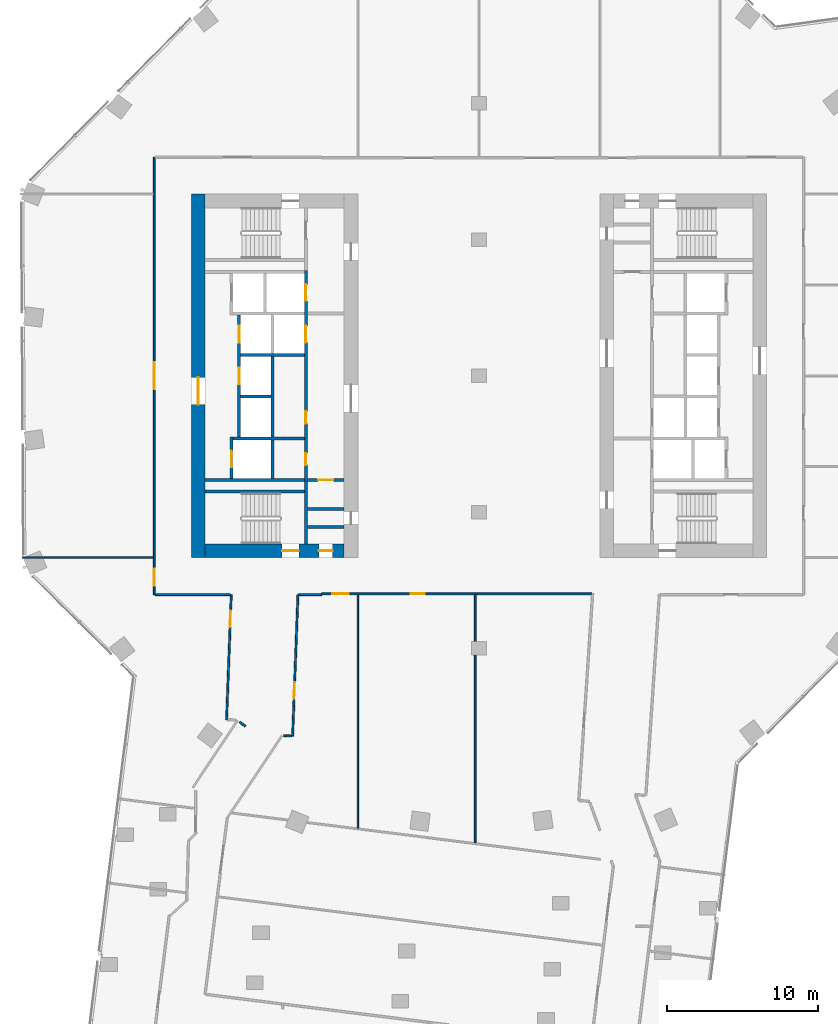
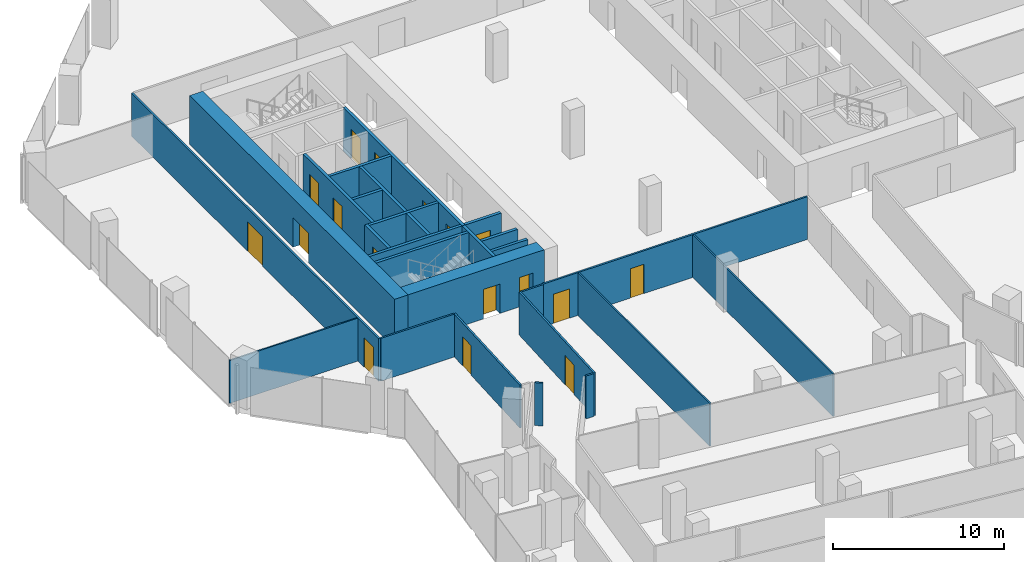
# One storey, part 20 of 27: 27 walls, 17 doors, 17 openings.
"""IFC4 building model written with IfcOpenShell, lengths in metres."""

from ifc_helpers import new_model, si_unit, direction, frame, frame_2d, origin, place, context, subcontext, project, spatial, rectangle, extrude, material, layer, layer_set, type_object, element, fill, save


model = new_model("IFC4")

# Units and contexts
model_context = context("Model", 3, precision=1e-05, world=origin(), true_north=direction((0.0, 1.0)))
body_context = subcontext(model_context, "Body", "Model", "MODEL_VIEW")
ifc_project = project(units=[si_unit("LENGTHUNIT", "METRE"), si_unit("AREAUNIT", "SQUARE_METRE"), si_unit("VOLUMEUNIT", "CUBIC_METRE"), si_unit("PLANEANGLEUNIT", "RADIAN"), si_unit("MASSUNIT", "GRAM", prefix="KILO")], contexts=[model_context])

# Site, building, storey
site_placement = place(None, origin())
site = spatial("IfcSite", under=ifc_project, at=site_placement, CompositionType="ELEMENT")
building_placement = place(site_placement, origin())
building = spatial("IfcBuilding", under=site, at=building_placement, Name="Orlundy Tower", CompositionType="ELEMENT")
storey_placement = place(building_placement, frame((0.0, 0.0, 195.60009765625)))
storey = spatial("IfcBuildingStorey", under=building, at=storey_placement, Name="L51", CompositionType="ELEMENT", Elevation=195.60009765625)

# Wall, openings, doors
ifc_material_1 = material(Name="Concrete C70/85", Category="concrete")
ifc_layer_1 = layer(ifc_material_1, 0.89990234375)
ifc_layer_set_1 = layer_set([ifc_layer_1], Name="CORE WALL 900 C70/85")
wall_type_1 = type_object("IfcWallType", Name="CORE WALL 900 C70/85", PredefinedType="SHEAR", material=ifc_layer_set_1)
wall_1_placement = place(storey_placement, frame((-18.10009765625, -11.550048828125, 0.0), z_axis=(0.0, 0.0, 1.0), x_axis=(1.0, 0.0, 0.0)))
wall_1 = element("IfcWall", 1, at=wall_1_placement, inside=storey, type_object=wall_type_1, Name="Core wall W-S L51", PredefinedType="SHEAR", context=body_context, shape_type="SweptSolid", body=[
    extrude(rectangle(XDim=9.2001953125, YDim=0.89990234375, at=frame_2d((4.60009765625, 0.0))), origin(), (0.0, 0.0, 1.0), 3.5),
])
opening_1_placement = place(wall_1_placement, frame((5.10009765625, 0.0, 0.0)))
opening_1 = element("IfcOpeningElement", 2, at=opening_1_placement, cuts=wall_1, Name="Opening 39013", PredefinedType="OPENING", context=body_context, shape_type="SweptSolid", body=[
    extrude(rectangle(XDim=1.10009765625, YDim=2.10009765625, at=frame_2d((0.550048828125, 1.050048828125))), frame((0.0, 0.4599609375, 0.0), z_axis=(0.0, -1.0, 0.0), x_axis=(1.0, 0.0, 0.0)), (0.0, 0.0, 1.0), 0.919921875),
])
opening_2_placement = place(wall_1_placement, frame((7.530029296875, 0.0, 0.0)))
opening_2 = element("IfcOpeningElement", 3, at=opening_2_placement, cuts=wall_1, Name="Opening 39015", PredefinedType="OPENING", context=body_context, shape_type="SweptSolid", body=[
    extrude(rectangle(XDim=0.89990234375, YDim=2.10009765625, at=frame_2d((0.449951171875, 1.050048828125))), frame((0.0, 0.4599609375, 0.0), z_axis=(0.0, -1.0, 0.0), x_axis=(1.0, 0.0, 0.0)), (0.0, 0.0, 1.0), 0.919921875),
])
ifc_material_2 = material(Name="Timber door set", Category="wood")
door_type_1 = type_object("IfcDoorType", Name="Room Door 900x2100", OperationType="SINGLE_SWING_LEFT", PredefinedType="DOOR", material=ifc_material_2)
door_1_placement = place(opening_2_placement, origin())
door_1 = element("IfcDoor", 4, at=door_1_placement, inside=storey, type_object=door_type_1, Name="Store door 39015", OperationType="SINGLE_SWING_RIGHT", OverallHeight=2.10009765625, OverallWidth=0.89990234375, PredefinedType="DOOR", context=body_context, shape_type="SweptSolid", body=[
    extrude(rectangle(XDim=0.89990234375, YDim=2.10009765625, at=frame_2d((0.449951171875, 1.050048828125))), frame((0.0, 0.02490234375, 0.0), z_axis=(0.0, -1.0, 0.0), x_axis=(1.0, 0.0, 0.0)), (0.0, 0.0, 1.0), 0.050048828125),
])
fill(opening_2, door_1)
ifc_material_3 = material(Name="Steel door set", Category="steel")
door_type_2 = type_object("IfcDoorType", Name="Stair Door 1100x2100", OperationType="SINGLE_SWING_LEFT", PredefinedType="DOOR", material=ifc_material_3)
door_2_placement = place(opening_1_placement, origin())
door_2 = element("IfcDoor", 5, at=door_2_placement, inside=storey, type_object=door_type_2, Name="Stair door 39013", OperationType="SINGLE_SWING_RIGHT", OverallHeight=2.10009765625, OverallWidth=1.10009765625, PredefinedType="DOOR", context=body_context, shape_type="SweptSolid", body=[
    extrude(rectangle(XDim=1.10009765625, YDim=2.10009765625, at=frame_2d((0.550048828125, 1.050048828125))), frame((0.0, 0.02490234375, 0.0), z_axis=(0.0, -1.0, 0.0), x_axis=(1.0, 0.0, 0.0)), (0.0, 0.0, 1.0), 0.050048828125),
])
fill(opening_1, door_2)

# Wall, opening, door
wall_2_placement = place(storey_placement, frame((-18.550048828125, -12.0, 0.0), z_axis=(0.0, 0.0, 1.0), x_axis=(0.0, 1.0, 0.0)))
wall_2 = element("IfcWall", 6, at=wall_2_placement, inside=storey, type_object=wall_type_1, Name="Core wall W-W L51", PredefinedType="SHEAR", context=body_context, shape_type="SweptSolid", body=[
    extrude(rectangle(XDim=24.0, YDim=0.89990234375, at=frame_2d((12.0, 0.0))), origin(), (0.0, 0.0, 1.0), 3.5),
])
opening_3_placement = place(wall_2_placement, frame((10.10009765625, 0.0, 0.0)))
opening_3 = element("IfcOpeningElement", 7, at=opening_3_placement, cuts=wall_2, Name="Opening 39010", PredefinedType="OPENING", context=body_context, shape_type="SweptSolid", body=[
    extrude(rectangle(XDim=1.800048828125, YDim=2.10009765625, at=frame_2d((0.89990234375, 1.050048828125))), frame((0.0, 0.4599609375, 0.0), z_axis=(0.0, -1.0, 0.0), x_axis=(1.0, 0.0, 0.0)), (0.0, 0.0, 1.0), 0.919921875),
])
ifc_material_4 = material(Name="Timber door set", Category="wood")
door_type_3 = type_object("IfcDoorType", Name="Lobby Door 1800x2100", OperationType="DOUBLE_DOOR_DOUBLE_SWING", PredefinedType="DOOR", material=ifc_material_4)
door_3_placement = place(opening_3_placement, origin())
door_3 = element("IfcDoor", 8, at=door_3_placement, inside=storey, type_object=door_type_3, Name="Lift lobby door 39010", OperationType="SINGLE_SWING_LEFT", OverallHeight=2.10009765625, OverallWidth=1.800048828125, PredefinedType="DOOR", context=body_context, shape_type="SweptSolid", body=[
    extrude(rectangle(XDim=1.800048828125, YDim=2.10009765625, at=frame_2d((0.89990234375, 1.050048828125))), frame((0.0, 0.02490234375, 0.0), z_axis=(0.0, -1.0, 0.0), x_axis=(1.0, 0.0, 0.0)), (0.0, 0.0, 1.0), 0.050048828125),
])
fill(opening_3, door_3)

# Walls
ifc_material_5 = material(Name="Gypsum board partition")
ifc_layer_2 = layer(ifc_material_5, 0.10009765625)
ifc_layer_set_2 = layer_set([ifc_layer_2], Name="Floor partition 100")
wall_type_2 = type_object("IfcWallType", Name="Floor partition 100", PredefinedType="PARTITIONING", material=ifc_layer_set_2)
wall_3_placement = place(storey_placement, frame((-30.179931640625, -12.0, 0.0), z_axis=(0.0, 0.0, 1.0), x_axis=(1.0, 0.0, 0.0)))
element("IfcWall", 9, at=wall_3_placement, inside=storey, type_object=wall_type_2, Name="wall-int-L51-033", PredefinedType="PARTITIONING", context=body_context, shape_type="SweptSolid", body=[
    extrude(rectangle(XDim=8.66796875, YDim=0.10009765625, at=frame_2d((4.333984375, 0.0))), origin(), (0.0, 0.0, 1.0), 3.059814453125),
])
wall_4_placement = place(storey_placement, frame((-0.242919921875, -30.85400390625, 0.0), z_axis=(0.0, 0.0, 1.0), x_axis=(0.0, 1.0, 0.0)))
element("IfcWall", 10, at=wall_4_placement, inside=storey, type_object=wall_type_2, Name="wall-int-L51-072", PredefinedType="PARTITIONING", context=body_context, shape_type="SweptSolid", body=[
    extrude(rectangle(XDim=16.39111328125, YDim=0.10009765625, at=frame_2d((8.195556640625, 0.0))), origin(), (0.0, 0.0, 1.0), 3.059814453125),
])
wall_5_placement = place(storey_placement, frame((-8.0, -29.87890625, 0.0), z_axis=(0.0, 0.0, 1.0), x_axis=(0.0, 1.0, 0.0)))
element("IfcWall", 11, at=wall_5_placement, inside=storey, type_object=wall_type_2, Name="wall-int-L51-074", PredefinedType="PARTITIONING", context=body_context, shape_type="SweptSolid", body=[
    extrude(rectangle(XDim=15.416015625, YDim=0.10009765625, at=frame_2d((7.7080078125, 0.0))), origin(), (0.0, 0.0, 1.0), 3.059814453125),
])
ifc_material_6 = material(Name="Gypsum board partition, double layer")
ifc_layer_3 = layer(ifc_material_6, 0.125)
ifc_layer_set_3 = layer_set([ifc_layer_3], Name="Floor partition 125")
wall_type_3 = type_object("IfcWallType", Name="Floor partition 125", PredefinedType="PARTITIONING", material=ifc_layer_set_3)
wall_6_placement = place(storey_placement, frame((-15.81201171875, -22.864013671875, 0.0), z_axis=(0.0, 0.0, 1.0), x_axis=(0.800662960461, -0.599115033817, 0.0)))
element("IfcWall", 12, at=wall_6_placement, inside=storey, type_object=wall_type_3, Name="wall-int-L51-005", PredefinedType="PARTITIONING", context=body_context, shape_type="SweptSolid", body=[
    extrude(rectangle(XDim=0.48583984375, YDim=0.125, at=frame_2d((0.242919921875, 0.0))), origin(), (0.0, 0.0, 1.0), 3.059814453125),
])
wall_7_placement = place(storey_placement, frame((-12.89697265625, -23.77294921875, 0.0), z_axis=(0.0, 0.0, 1.0), x_axis=(0.99927617333, -0.038041154231, 0.0)))
element("IfcWall", 13, at=wall_7_placement, inside=storey, type_object=wall_type_3, Name="wall-int-L51-024", PredefinedType="PARTITIONING", context=body_context, shape_type="SweptSolid", body=[
    extrude(rectangle(XDim=0.5263671875, YDim=0.125, at=frame_2d((0.26318359375, 0.0))), origin(), (0.0, 0.0, 1.0), 3.059814453125),
])
wall_8_placement = place(storey_placement, frame((-21.386962890625, -14.450927734375, 0.0), z_axis=(0.0, 0.0, 1.0), x_axis=(1.0, 0.0, 0.0)))
element("IfcWall", 14, at=wall_8_placement, inside=storey, type_object=wall_type_3, Name="wall-int-L51-029", PredefinedType="PARTITIONING", context=body_context, shape_type="SweptSolid", body=[
    extrude(rectangle(XDim=4.962890625, YDim=0.125, at=frame_2d((2.4814453125, 0.0))), origin(), (0.0, 0.0, 1.0), 3.059814453125),
])
wall_9_placement = place(storey_placement, frame((-11.89501953125, -14.450927734375, 0.0), z_axis=(0.0, 0.0, 1.0), x_axis=(1.0, 0.0, 0.0)))
element("IfcWall", 15, at=wall_9_placement, inside=storey, type_object=wall_type_3, Name="wall-int-L51-030", PredefinedType="PARTITIONING", context=body_context, shape_type="SweptSolid", body=[
    extrude(rectangle(XDim=1.50390625, YDim=0.125, at=frame_2d((0.751953125, 0.0))), origin(), (0.0, 0.0, 1.0), 3.059814453125),
])

# Wall, openings, doors
wall_10_placement = place(storey_placement, frame((7.449951171875, -14.40087890625, 0.0), z_axis=(0.0, 0.0, 1.0), x_axis=(-1.0, 0.0, 0.0)))
wall_10 = element("IfcWall", 16, at=wall_10_placement, inside=storey, type_object=wall_type_3, Name="wall-int-L51-032", PredefinedType="PARTITIONING", context=body_context, shape_type="SweptSolid", body=[
    extrude(rectangle(XDim=17.83984375, YDim=0.125, at=frame_2d((8.919921875, 0.0))), origin(), (0.0, 0.0, 1.0), 3.059814453125),
])
opening_4_placement = place(wall_10_placement, frame((16.050537109375, 0.0, 0.0)))
opening_4 = element("IfcOpeningElement", 17, at=opening_4_placement, cuts=wall_10, Name="Opening 39114", PredefinedType="OPENING", context=body_context, shape_type="SweptSolid", body=[
    extrude(rectangle(XDim=1.10009765625, YDim=2.10009765625, at=frame_2d((0.550048828125, 1.050048828125))), frame((0.0, 0.072509765625, 0.0), z_axis=(0.0, -1.0, 0.0), x_axis=(1.0, 0.0, 0.0)), (0.0, 0.0, 1.0), 0.14501953125),
])
opening_5_placement = place(wall_10_placement, frame((11.04345703125, 0.0, 0.0)))
opening_5 = element("IfcOpeningElement", 18, at=opening_5_placement, cuts=wall_10, Name="Opening 39115", PredefinedType="OPENING", context=body_context, shape_type="SweptSolid", body=[
    extrude(rectangle(XDim=0.89990234375, YDim=2.10009765625, at=frame_2d((0.449951171875, 1.050048828125))), frame((0.0, 0.072509765625, 0.0), z_axis=(0.0, -1.0, 0.0), x_axis=(1.0, 0.0, 0.0)), (0.0, 0.0, 1.0), 0.14501953125),
])
ifc_material_7 = material(Name="Timber door leaf", Category="wood")
door_type_4 = type_object("IfcDoorType", Name="Floor door single 900 FD30S", OperationType="NOTDEFINED", PredefinedType="DOOR", material=ifc_material_7)
door_4_placement = place(opening_5_placement, origin())
door_4 = element("IfcDoor", 19, at=door_4_placement, inside=storey, type_object=door_type_4, Name="Door 39115", OperationType="SINGLE_SWING_RIGHT", OverallHeight=2.10009765625, OverallWidth=0.89990234375, PredefinedType="DOOR", context=body_context, shape_type="SweptSolid", body=[
    extrude(rectangle(XDim=0.89990234375, YDim=2.10009765625, at=frame_2d((0.449951171875, 1.050048828125))), frame((0.0, 0.02490234375, 0.0), z_axis=(0.0, -1.0, 0.0), x_axis=(1.0, 0.0, 0.0)), (0.0, 0.0, 1.0), 0.050048828125),
])
fill(opening_5, door_4)
ifc_material_8 = material(Name="Timber door leaf", Category="wood")
door_type_5 = type_object("IfcDoorType", Name="Floor door xwide 1100 FD30S", OperationType="NOTDEFINED", PredefinedType="DOOR", material=ifc_material_8)
door_5_placement = place(opening_4_placement, origin())
door_5 = element("IfcDoor", 20, at=door_5_placement, inside=storey, type_object=door_type_5, Name="Door 39114", OperationType="SINGLE_SWING_RIGHT", OverallHeight=2.10009765625, OverallWidth=1.10009765625, PredefinedType="DOOR", context=body_context, shape_type="SweptSolid", body=[
    extrude(rectangle(XDim=1.10009765625, YDim=2.10009765625, at=frame_2d((0.550048828125, 1.050048828125))), frame((0.0, 0.02490234375, 0.0), z_axis=(0.0, -1.0, 0.0), x_axis=(1.0, 0.0, 0.0)), (0.0, 0.0, 1.0), 0.050048828125),
])
fill(opening_4, door_5)

# Wall, opening, door
wall_11_placement = place(storey_placement, frame((-11.95703125, -14.449951171875, 0.0), z_axis=(0.0, 0.0, 1.0), x_axis=(-0.037646049024, -0.999291136253, 0.0)))
wall_11 = element("IfcWall", 21, at=wall_11_placement, inside=storey, type_object=wall_type_3, Name="wall-int-L51-065", PredefinedType="PARTITIONING", context=body_context, shape_type="SweptSolid", body=[
    extrude(rectangle(XDim=9.3515625, YDim=0.125, at=frame_2d((4.67578125, 0.0))), origin(), (0.0, 0.0, 1.0), 3.059814453125),
])
opening_6_placement = place(wall_11_placement, frame((5.7822265625, 0.0, 0.0)))
opening_6 = element("IfcOpeningElement", 22, at=opening_6_placement, cuts=wall_11, Name="Opening 39113", PredefinedType="OPENING", context=body_context, shape_type="SweptSolid", body=[
    extrude(rectangle(XDim=1.10009765625, YDim=2.10009765625, at=frame_2d((0.550048828125, 1.050048828125))), frame((0.0, 0.072509765625, 0.0), z_axis=(0.0, -1.0, 0.0), x_axis=(1.0, 0.0, 0.0)), (0.0, 0.0, 1.0), 0.14501953125),
])
door_6_placement = place(opening_6_placement, origin())
door_6 = element("IfcDoor", 23, at=door_6_placement, inside=storey, type_object=door_type_5, Name="Door 39113", OperationType="SINGLE_SWING_RIGHT", OverallHeight=2.10009765625, OverallWidth=1.10009765625, PredefinedType="DOOR", context=body_context, shape_type="SweptSolid", body=[
    extrude(rectangle(XDim=1.10009765625, YDim=2.10009765625, at=frame_2d((0.550048828125, 1.050048828125))), frame((0.0, 0.02490234375, 0.0), z_axis=(0.0, -1.0, 0.0), x_axis=(1.0, 0.0, 0.0)), (0.0, 0.0, 1.0), 0.050048828125),
])
fill(opening_6, door_6)

wall_12_placement = place(storey_placement, frame((-16.673095703125, -22.717041015625, 0.0), z_axis=(0.0, 0.0, 1.0), x_axis=(0.037714570023, 0.999288552525, 0.0)))
wall_12 = element("IfcWall", 24, at=wall_12_placement, inside=storey, type_object=wall_type_3, Name="wall-int-L51-066", PredefinedType="PARTITIONING", context=body_context, shape_type="SweptSolid", body=[
    extrude(rectangle(XDim=8.27294921875, YDim=0.125, at=frame_2d((4.136474609375, 0.0))), origin(), (0.0, 0.0, 1.0), 3.059814453125),
])
opening_7_placement = place(wall_12_placement, frame((6.107666015625, 0.0, 0.0)))
opening_7 = element("IfcOpeningElement", 25, at=opening_7_placement, cuts=wall_12, Name="Opening 39112", PredefinedType="OPENING", context=body_context, shape_type="SweptSolid", body=[
    extrude(rectangle(XDim=1.10009765625, YDim=2.10009765625, at=frame_2d((0.550048828125, 1.050048828125))), frame((0.0, 0.072509765625, 0.0), z_axis=(0.0, -1.0, 0.0), x_axis=(1.0, 0.0, 0.0)), (0.0, 0.0, 1.0), 0.14501953125),
])
door_7_placement = place(opening_7_placement, origin())
door_7 = element("IfcDoor", 26, at=door_7_placement, inside=storey, type_object=door_type_5, Name="Door 39112", OperationType="SINGLE_SWING_RIGHT", OverallHeight=2.10009765625, OverallWidth=1.10009765625, PredefinedType="DOOR", context=body_context, shape_type="SweptSolid", body=[
    extrude(rectangle(XDim=1.10009765625, YDim=2.10009765625, at=frame_2d((0.550048828125, 1.050048828125))), frame((0.0, 0.02490234375, 0.0), z_axis=(0.0, -1.0, 0.0), x_axis=(1.0, 0.0, 0.0)), (0.0, 0.0, 1.0), 0.050048828125),
])
fill(opening_7, door_7)

# Wall, openings, doors
wall_13_placement = place(storey_placement, frame((-21.449951171875, -14.450927734375, 0.0), z_axis=(0.0, 0.0, 1.0), x_axis=(0.0, 1.0, 0.0)))
wall_13 = element("IfcWall", 27, at=wall_13_placement, inside=storey, type_object=wall_type_3, Name="wall-int-L51-078", PredefinedType="PARTITIONING", context=body_context, shape_type="SweptSolid", body=[
    extrude(rectangle(XDim=28.90185546875, YDim=0.125, at=frame_2d((14.450927734375, 0.0))), origin(), (0.0, 0.0, 1.0), 3.059814453125),
])
opening_8_placement = place(wall_13_placement, frame((0.60009765625, 0.0, 0.0)))
opening_8 = element("IfcOpeningElement", 28, at=opening_8_placement, cuts=wall_13, Name="Opening 39111", PredefinedType="OPENING", context=body_context, shape_type="SweptSolid", body=[
    extrude(rectangle(XDim=1.10009765625, YDim=2.10009765625, at=frame_2d((0.550048828125, 1.050048828125))), frame((0.0, 0.072509765625, 0.0), z_axis=(0.0, -1.0, 0.0), x_axis=(1.0, 0.0, 0.0)), (0.0, 0.0, 1.0), 0.14501953125),
])
opening_9_placement = place(wall_13_placement, frame((13.551025390625, 0.0, 0.0)))
opening_9 = element("IfcOpeningElement", 29, at=opening_9_placement, cuts=wall_13, Name="Opening 39127", PredefinedType="OPENING", context=body_context, shape_type="SweptSolid", body=[
    extrude(rectangle(XDim=1.800048828125, YDim=2.10009765625, at=frame_2d((0.89990234375, 1.050048828125))), frame((0.0, 0.072509765625, 0.0), z_axis=(0.0, -1.0, 0.0), x_axis=(1.0, 0.0, 0.0)), (0.0, 0.0, 1.0), 0.14501953125),
])
ifc_material_9 = material(Name="Timber door leaf", Category="wood")
door_type_6 = type_object("IfcDoorType", Name="Floor door double 1800 FD30S", OperationType="NOTDEFINED", PredefinedType="DOOR", material=ifc_material_9)
door_8_placement = place(opening_9_placement, origin())
door_8 = element("IfcDoor", 30, at=door_8_placement, inside=storey, type_object=door_type_6, Name="Door 39127", OperationType="DOUBLE_DOOR_SINGLE_SWING", OverallHeight=2.10009765625, OverallWidth=1.800048828125, PredefinedType="DOOR", context=body_context, shape_type="SweptSolid", body=[
    extrude(rectangle(XDim=1.800048828125, YDim=2.10009765625, at=frame_2d((0.89990234375, 1.050048828125))), frame((0.0, 0.02490234375, 0.0), z_axis=(0.0, -1.0, 0.0), x_axis=(1.0, 0.0, 0.0)), (0.0, 0.0, 1.0), 0.050048828125),
])
fill(opening_9, door_8)
door_9_placement = place(opening_8_placement, origin())
door_9 = element("IfcDoor", 31, at=door_9_placement, inside=storey, type_object=door_type_5, Name="Door 39111", OperationType="SINGLE_SWING_LEFT", OverallHeight=2.10009765625, OverallWidth=1.10009765625, PredefinedType="DOOR", context=body_context, shape_type="SweptSolid", body=[
    extrude(rectangle(XDim=1.10009765625, YDim=2.10009765625, at=frame_2d((0.550048828125, 1.050048828125))), frame((0.0, 0.02490234375, 0.0), z_axis=(0.0, -1.0, 0.0), x_axis=(1.0, 0.0, 0.0)), (0.0, 0.0, 1.0), 0.050048828125),
])
fill(opening_8, door_9)

# Walls
ifc_material_10 = material(Name="Concrete C40/50", Category="concrete")
ifc_layer_4 = layer(ifc_material_10, 0.199951171875)
ifc_layer_set_4 = layer_set([ifc_layer_4], Name="Load-bearing Shaft Wall 200")
wall_type_4 = type_object("IfcWallType", Name="Load-bearing Shaft Wall 200", PredefinedType="SOLIDWALL", material=ifc_layer_set_4)
wall_14_placement = place(storey_placement, frame((-11.43994140625, -11.10009765625, 0.0), z_axis=(0.0, 0.0, 1.0), x_axis=(0.0, 1.0, 0.0)))
element("IfcWall", 32, at=wall_14_placement, inside=storey, type_object=wall_type_4, Name="Shaft wall W39-stair-end-s", PredefinedType="SOLIDWALL", context=body_context, shape_type="SweptSolid", body=[
    extrude(rectangle(XDim=4.125, YDim=0.199951171875, at=frame_2d((2.0625, 0.0))), origin(), (0.0, 0.0, 1.0), 3.079833984375),
])
wall_15_placement = place(storey_placement, frame((-11.5400390625, -7.64990234375, 0.0), z_axis=(0.0, 0.0, 1.0), x_axis=(-1.0, 0.0, 0.0)))
element("IfcWall", 33, at=wall_15_placement, inside=storey, type_object=wall_type_4, Name="Shaft wall W39-stair-side-s", PredefinedType="SOLIDWALL", context=body_context, shape_type="SweptSolid", body=[
    extrude(rectangle(XDim=6.56005859375, YDim=0.199951171875, at=frame_2d((3.280029296875, 0.0))), origin(), (0.0, 0.0, 1.0), 3.079833984375),
])

# Wall, opening, door
ifc_material_11 = material(Name="Gypsum board partition on steel studs", Category="steel")
ifc_layer_5 = layer(ifc_material_11, 0.199951171875)
ifc_layer_set_5 = layer_set([ifc_layer_5], Name="Partition 200")
wall_type_5 = type_object("IfcWallType", Name="Partition 200", PredefinedType="PARTITIONING", material=ifc_layer_set_5)
wall_16_placement = place(storey_placement, frame((-8.89990234375, -6.875, 0.0), z_axis=(0.0, 0.0, 1.0), x_axis=(-1.0, 0.0, 0.0)))
wall_16 = element("IfcWall", 34, at=wall_16_placement, inside=storey, type_object=wall_type_5, Name="Partition wall W39-end-s", PredefinedType="PARTITIONING", context=body_context, shape_type="SweptSolid", body=[
    extrude(rectangle(XDim=2.440185546875, YDim=0.199951171875, at=frame_2d((1.22021484375, 0.0))), origin(), (0.0, 0.0, 1.0), 3.079833984375),
])
opening_10_placement = place(wall_16_placement, frame((0.719970703125, 0.0, 0.0)))
opening_10 = element("IfcOpeningElement", 35, at=opening_10_placement, cuts=wall_16, Name="Opening 39017", PredefinedType="OPENING", context=body_context, shape_type="SweptSolid", body=[
    extrude(rectangle(XDim=1.0, YDim=2.10009765625, at=frame_2d((0.5, 1.050048828125))), frame((0.0, 0.110107421875, 0.0), z_axis=(0.0, -1.0, 0.0), x_axis=(1.0, 0.0, 0.0)), (0.0, 0.0, 1.0), 0.22021484375),
])
ifc_material_12 = material(Name="Timber door set", Category="wood")
door_type_7 = type_object("IfcDoorType", Name="Accessible Door 1000x2100", OperationType="SINGLE_SWING_LEFT", PredefinedType="DOOR", material=ifc_material_12)
door_10_placement = place(opening_10_placement, origin())
door_10 = element("IfcDoor", 36, at=door_10_placement, inside=storey, type_object=door_type_7, Name="Accessible WC door 39017", OperationType="SINGLE_SWING_RIGHT", OverallHeight=2.10009765625, OverallWidth=1.0, PredefinedType="DOOR", context=body_context, shape_type="SweptSolid", body=[
    extrude(rectangle(XDim=1.0, YDim=2.10009765625, at=frame_2d((0.5, 1.050048828125))), frame((0.0, 0.02490234375, 0.0), z_axis=(0.0, -1.0, 0.0), x_axis=(1.0, 0.0, 0.0)), (0.0, 0.0, 1.0), 0.050048828125),
])
fill(opening_10, door_10)

# Walls
for number, where, z_axis, x_axis, name in (
    (37, (-8.89990234375, -10.0, 0.0), (0.0, 0.0, 1.0), (-1.0, 0.0, 0.0), "Partition wall W39-room-s0"),
    (38, (-8.89990234375, -8.800048828125, 0.0), (0.0, 0.0, 1.0), (-1.0, 0.0, 0.0), "Partition wall W39-room-s1"),
):
    element("IfcWall", number, at=place(storey_placement, frame(where, z_axis=z_axis, x_axis=x_axis)), inside=storey, type_object=wall_type_5, Name=name, PredefinedType="PARTITIONING", context=body_context, shape_type="SweptSolid", body=[
        extrude(rectangle(XDim=2.440185546875, YDim=0.199951171875, at=frame_2d((1.22021484375, 0.0))), origin(), (0.0, 0.0, 1.0), 3.079833984375),
    ])
ifc_material_13 = material(Name="Fire-rated blockwork shaft wall", Category="masonry")
ifc_layer_6 = layer(ifc_material_13, 0.199951171875)
ifc_layer_set_6 = layer_set([ifc_layer_6], Name="Shaft Wall 200")
wall_type_6 = type_object("IfcWallType", Name="Shaft Wall 200", PredefinedType="SOLIDWALL", material=ifc_layer_set_6)
wall_17_placement = place(storey_placement, frame((-11.5400390625, -6.875, 0.0), z_axis=(0.0, 0.0, 1.0), x_axis=(-1.0, 0.0, 0.0)))
element("IfcWall", 39, at=wall_17_placement, inside=storey, type_object=wall_type_6, Name="Shaft wall W39-zone-s", PredefinedType="SOLIDWALL", context=body_context, shape_type="SweptSolid", body=[
    extrude(rectangle(XDim=6.56005859375, YDim=0.199951171875, at=frame_2d((3.280029296875, 0.0))), origin(), (0.0, 0.0, 1.0), 3.079833984375),
])
wall_18_placement = place(storey_placement, frame((-11.5400390625, -4.125, 0.0), z_axis=(0.0, 0.0, 1.0), x_axis=(-1.0, 0.0, 0.0)))
element("IfcWall", 40, at=wall_18_placement, inside=storey, type_object=wall_type_6, Name="Shaft wall W39-cross-4.125", PredefinedType="SOLIDWALL", context=body_context, shape_type="SweptSolid", body=[
    extrude(rectangle(XDim=4.699951171875, YDim=0.199951171875, at=frame_2d((2.35009765625, 0.0))), origin(), (0.0, 0.0, 1.0), 3.079833984375),
])
wall_19_placement = place(storey_placement, frame((-13.739990234375, -1.375, 0.0), z_axis=(0.0, 0.0, 1.0), x_axis=(-1.0, 0.0, 0.0)))
element("IfcWall", 41, at=wall_19_placement, inside=storey, type_object=wall_type_6, Name="Shaft wall W39-cross-1.375", PredefinedType="SOLIDWALL", context=body_context, shape_type="SweptSolid", body=[
    extrude(rectangle(XDim=2.0, YDim=0.199951171875, at=frame_2d((1.0, 0.0))), origin(), (0.0, 0.0, 1.0), 3.079833984375),
])
wall_20_placement = place(storey_placement, frame((-11.5400390625, 1.375, 0.0), z_axis=(0.0, 0.0, 1.0), x_axis=(-1.0, 0.0, 0.0)))
element("IfcWall", 42, at=wall_20_placement, inside=storey, type_object=wall_type_6, Name="Shaft wall W39-cross+1.375", PredefinedType="SOLIDWALL", context=body_context, shape_type="SweptSolid", body=[
    extrude(rectangle(XDim=4.199951171875, YDim=0.199951171875, at=frame_2d((2.10009765625, 0.0))), origin(), (0.0, 0.0, 1.0), 3.079833984375),
])

# Wall, openings, doors
wall_21_placement = place(storey_placement, frame((-11.43994140625, -6.97509765625, 0.0), z_axis=(0.0, 0.0, 1.0), x_axis=(0.0, 1.0, 0.0)))
wall_21 = element("IfcWall", 43, at=wall_21_placement, inside=storey, type_object=wall_type_6, Name="Shaft wall W39-front-h", PredefinedType="SOLIDWALL", context=body_context, shape_type="SweptSolid", body=[
    extrude(rectangle(XDim=13.9501953125, YDim=0.199951171875, at=frame_2d((6.97509765625, 0.0))), origin(), (0.0, 0.0, 1.0), 3.079833984375),
])
opening_11_placement = place(wall_21_placement, frame((9.175048828125, 0.0, 0.0)))
opening_11 = element("IfcOpeningElement", 44, at=opening_11_placement, cuts=wall_21, Name="Opening 39003", PredefinedType="OPENING", context=body_context, shape_type="SweptSolid", body=[
    extrude(rectangle(XDim=1.10009765625, YDim=2.10009765625, at=frame_2d((0.550048828125, 1.050048828125))), frame((0.0, 0.110107421875, 0.0), z_axis=(0.0, -1.0, 0.0), x_axis=(1.0, 0.0, 0.0)), (0.0, 0.0, 1.0), 0.22021484375),
])
opening_12_placement = place(wall_21_placement, frame((11.925048828125, 0.0, 0.0)))
opening_12 = element("IfcOpeningElement", 45, at=opening_12_placement, cuts=wall_21, Name="Opening 39005", PredefinedType="OPENING", context=body_context, shape_type="SweptSolid", body=[
    extrude(rectangle(XDim=1.10009765625, YDim=2.10009765625, at=frame_2d((0.550048828125, 1.050048828125))), frame((0.0, 0.110107421875, 0.0), z_axis=(0.0, -1.0, 0.0), x_axis=(1.0, 0.0, 0.0)), (0.0, 0.0, 1.0), 0.22021484375),
])
opening_13_placement = place(wall_21_placement, frame((1.074951171875, 0.0, 0.0)))
opening_13 = element("IfcOpeningElement", 46, at=opening_13_placement, cuts=wall_21, Name="Opening 39007", PredefinedType="OPENING", context=body_context, shape_type="SweptSolid", body=[
    extrude(rectangle(XDim=0.800048828125, YDim=2.10009765625, at=frame_2d((0.39990234375, 1.050048828125))), frame((0.0, 0.110107421875, 0.0), z_axis=(0.0, -1.0, 0.0), x_axis=(1.0, 0.0, 0.0)), (0.0, 0.0, 1.0), 0.22021484375),
])
opening_14_placement = place(wall_21_placement, frame((3.824951171875, 0.0, 0.0)))
opening_14 = element("IfcOpeningElement", 47, at=opening_14_placement, cuts=wall_21, Name="Opening 39008", PredefinedType="OPENING", context=body_context, shape_type="SweptSolid", body=[
    extrude(rectangle(XDim=0.800048828125, YDim=2.10009765625, at=frame_2d((0.39990234375, 1.050048828125))), frame((0.0, 0.110107421875, 0.0), z_axis=(0.0, -1.0, 0.0), x_axis=(1.0, 0.0, 0.0)), (0.0, 0.0, 1.0), 0.22021484375),
])
ifc_material_14 = material(Name="Steel door set", Category="steel")
door_type_8 = type_object("IfcDoorType", Name="Landing Door 1100x2100", OperationType="DOUBLE_DOOR_SLIDING", PredefinedType="DOOR", material=ifc_material_14)
door_11_placement = place(opening_11_placement, origin())
door_11 = element("IfcDoor", 48, at=door_11_placement, inside=storey, type_object=door_type_8, Name="Lift landing door LP-12 39003", OperationType="DOUBLE_DOOR_SLIDING", OverallHeight=2.10009765625, OverallWidth=1.10009765625, PredefinedType="DOOR", context=body_context, shape_type="SweptSolid", body=[
    extrude(rectangle(XDim=1.10009765625, YDim=2.10009765625, at=frame_2d((0.550048828125, 1.050048828125))), frame((0.0, 0.02490234375, 0.0), z_axis=(0.0, -1.0, 0.0), x_axis=(1.0, 0.0, 0.0)), (0.0, 0.0, 1.0), 0.050048828125),
])
fill(opening_11, door_11)
door_12_placement = place(opening_12_placement, origin())
door_12 = element("IfcDoor", 49, at=door_12_placement, inside=storey, type_object=door_type_8, Name="Lift landing door FL1 39005", OperationType="DOUBLE_DOOR_SLIDING", OverallHeight=2.10009765625, OverallWidth=1.10009765625, PredefinedType="DOOR", context=body_context, shape_type="SweptSolid", body=[
    extrude(rectangle(XDim=1.10009765625, YDim=2.10009765625, at=frame_2d((0.550048828125, 1.050048828125))), frame((0.0, 0.02490234375, 0.0), z_axis=(0.0, -1.0, 0.0), x_axis=(1.0, 0.0, 0.0)), (0.0, 0.0, 1.0), 0.050048828125),
])
fill(opening_12, door_12)
ifc_material_15 = material(Name="Timber door set", Category="wood")
door_type_9 = type_object("IfcDoorType", Name="Riser Door 800x2100", OperationType="SINGLE_SWING_LEFT", PredefinedType="DOOR", material=ifc_material_15)
door_13_placement = place(opening_13_placement, origin())
door_13 = element("IfcDoor", 50, at=door_13_placement, inside=storey, type_object=door_type_9, Name="Electrical Riser Room door 39007", OperationType="SINGLE_SWING_LEFT", OverallHeight=2.10009765625, OverallWidth=0.800048828125, PredefinedType="DOOR", context=body_context, shape_type="SweptSolid", body=[
    extrude(rectangle(XDim=0.800048828125, YDim=2.10009765625, at=frame_2d((0.39990234375, 1.050048828125))), frame((0.0, 0.02490234375, 0.0), z_axis=(0.0, -1.0, 0.0), x_axis=(1.0, 0.0, 0.0)), (0.0, 0.0, 1.0), 0.050048828125),
])
fill(opening_13, door_13)
door_14_placement = place(opening_14_placement, origin())
door_14 = element("IfcDoor", 51, at=door_14_placement, inside=storey, type_object=door_type_9, Name="Plumbing Riser door 39008", OperationType="SINGLE_SWING_LEFT", OverallHeight=2.10009765625, OverallWidth=0.800048828125, PredefinedType="DOOR", context=body_context, shape_type="SweptSolid", body=[
    extrude(rectangle(XDim=0.800048828125, YDim=2.10009765625, at=frame_2d((0.39990234375, 1.050048828125))), frame((0.0, 0.02490234375, 0.0), z_axis=(0.0, -1.0, 0.0), x_axis=(1.0, 0.0, 0.0)), (0.0, 0.0, 1.0), 0.050048828125),
])
fill(opening_14, door_14)

# Walls
wall_22_placement = place(storey_placement, frame((-13.639892578125, -6.77490234375, 0.0), z_axis=(0.0, 0.0, 1.0), x_axis=(0.0, 1.0, 0.0)))
element("IfcWall", 52, at=wall_22_placement, inside=storey, type_object=wall_type_6, Name="Shaft wall W39-mid-a", PredefinedType="SOLIDWALL", context=body_context, shape_type="SweptSolid", body=[
    extrude(rectangle(XDim=2.5498046875, YDim=0.199951171875, at=frame_2d((1.27490234375, 0.0))), origin(), (0.0, 0.0, 1.0), 3.079833984375),
])
wall_23_placement = place(storey_placement, frame((-13.639892578125, -4.02490234375, 0.0), z_axis=(0.0, 0.0, 1.0), x_axis=(0.0, 1.0, 0.0)))
element("IfcWall", 53, at=wall_23_placement, inside=storey, type_object=wall_type_6, Name="Shaft wall W39-mid-a.1", PredefinedType="SOLIDWALL", context=body_context, shape_type="SweptSolid", body=[
    extrude(rectangle(XDim=5.2998046875, YDim=0.199951171875, at=frame_2d((2.64990234375, 0.0))), origin(), (0.0, 0.0, 1.0), 3.079833984375),
])

# Wall, opening, door
wall_24_placement = place(storey_placement, frame((-16.340087890625, -6.77490234375, 0.0), z_axis=(0.0, 0.0, 1.0), x_axis=(0.0, 1.0, 0.0)))
wall_24 = element("IfcWall", 54, at=wall_24_placement, inside=storey, type_object=wall_type_6, Name="Shaft wall W39-front-o-a", PredefinedType="SOLIDWALL", context=body_context, shape_type="SweptSolid", body=[
    extrude(rectangle(XDim=2.75, YDim=0.199951171875, at=frame_2d((1.375, 0.0))), origin(), (0.0, 0.0, 1.0), 3.079833984375),
])
opening_15_placement = place(wall_24_placement, frame((0.72509765625, 0.0, 0.0)))
opening_15 = element("IfcOpeningElement", 55, at=opening_15_placement, cuts=wall_24, Name="Opening 39001", PredefinedType="OPENING", context=body_context, shape_type="SweptSolid", body=[
    extrude(rectangle(XDim=1.10009765625, YDim=2.10009765625, at=frame_2d((0.550048828125, 1.050048828125))), frame((0.0, 0.110107421875, 0.0), z_axis=(0.0, -1.0, 0.0), x_axis=(1.0, 0.0, 0.0)), (0.0, 0.0, 1.0), 0.22021484375),
])
door_15_placement = place(opening_15_placement, origin())
door_15 = element("IfcDoor", 56, at=door_15_placement, inside=storey, type_object=door_type_8, Name="Lift landing door LV-01 39001", OperationType="DOUBLE_DOOR_SLIDING", OverallHeight=2.10009765625, OverallWidth=1.10009765625, PredefinedType="DOOR", context=body_context, shape_type="SweptSolid", body=[
    extrude(rectangle(XDim=1.10009765625, YDim=2.10009765625, at=frame_2d((0.550048828125, 1.050048828125))), frame((0.0, 0.02490234375, 0.0), z_axis=(0.0, -1.0, 0.0), x_axis=(1.0, 0.0, 0.0)), (0.0, 0.0, 1.0), 0.050048828125),
])
fill(opening_15, door_15)

# Wall, openings, doors
wall_25_placement = place(storey_placement, frame((-15.840087890625, -4.02490234375, 0.0), z_axis=(0.0, 0.0, 1.0), x_axis=(0.0, 1.0, 0.0)))
wall_25 = element("IfcWall", 57, at=wall_25_placement, inside=storey, type_object=wall_type_6, Name="Shaft wall W39-front-o-b", PredefinedType="SOLIDWALL", context=body_context, shape_type="SweptSolid", body=[
    extrude(rectangle(XDim=8.0498046875, YDim=0.199951171875, at=frame_2d((4.02490234375, 0.0))), origin(), (0.0, 0.0, 1.0), 3.079833984375),
])
opening_16_placement = place(wall_25_placement, frame((3.47509765625, 0.0, 0.0)))
opening_16 = element("IfcOpeningElement", 58, at=opening_16_placement, cuts=wall_25, Name="Opening 39002", PredefinedType="OPENING", context=body_context, shape_type="SweptSolid", body=[
    extrude(rectangle(XDim=1.10009765625, YDim=2.10009765625, at=frame_2d((0.550048828125, 1.050048828125))), frame((0.0, 0.110107421875, 0.0), z_axis=(0.0, -1.0, 0.0), x_axis=(1.0, 0.0, 0.0)), (0.0, 0.0, 1.0), 0.22021484375),
])
opening_17_placement = place(wall_25_placement, frame((6.22509765625, 0.0, 0.0)))
opening_17 = element("IfcOpeningElement", 59, at=opening_17_placement, cuts=wall_25, Name="Opening 39004", PredefinedType="OPENING", context=body_context, shape_type="SweptSolid", body=[
    extrude(rectangle(XDim=1.10009765625, YDim=2.10009765625, at=frame_2d((0.550048828125, 1.050048828125))), frame((0.0, 0.110107421875, 0.0), z_axis=(0.0, -1.0, 0.0), x_axis=(1.0, 0.0, 0.0)), (0.0, 0.0, 1.0), 0.22021484375),
])
door_16_placement = place(opening_16_placement, origin())
door_16 = element("IfcDoor", 60, at=door_16_placement, inside=storey, type_object=door_type_8, Name="Lift landing door LP-11 39002", OperationType="DOUBLE_DOOR_SLIDING", OverallHeight=2.10009765625, OverallWidth=1.10009765625, PredefinedType="DOOR", context=body_context, shape_type="SweptSolid", body=[
    extrude(rectangle(XDim=1.10009765625, YDim=2.10009765625, at=frame_2d((0.550048828125, 1.050048828125))), frame((0.0, 0.02490234375, 0.0), z_axis=(0.0, -1.0, 0.0), x_axis=(1.0, 0.0, 0.0)), (0.0, 0.0, 1.0), 0.050048828125),
])
fill(opening_16, door_16)
door_17_placement = place(opening_17_placement, origin())
door_17 = element("IfcDoor", 61, at=door_17_placement, inside=storey, type_object=door_type_8, Name="Lift landing door LP-13 39004", OperationType="DOUBLE_DOOR_SLIDING", OverallHeight=2.10009765625, OverallWidth=1.10009765625, PredefinedType="DOOR", context=body_context, shape_type="SweptSolid", body=[
    extrude(rectangle(XDim=1.10009765625, YDim=2.10009765625, at=frame_2d((0.550048828125, 1.050048828125))), frame((0.0, 0.02490234375, 0.0), z_axis=(0.0, -1.0, 0.0), x_axis=(1.0, 0.0, 0.0)), (0.0, 0.0, 1.0), 0.050048828125),
])
fill(opening_17, door_17)

save(model, "model.ifc")
